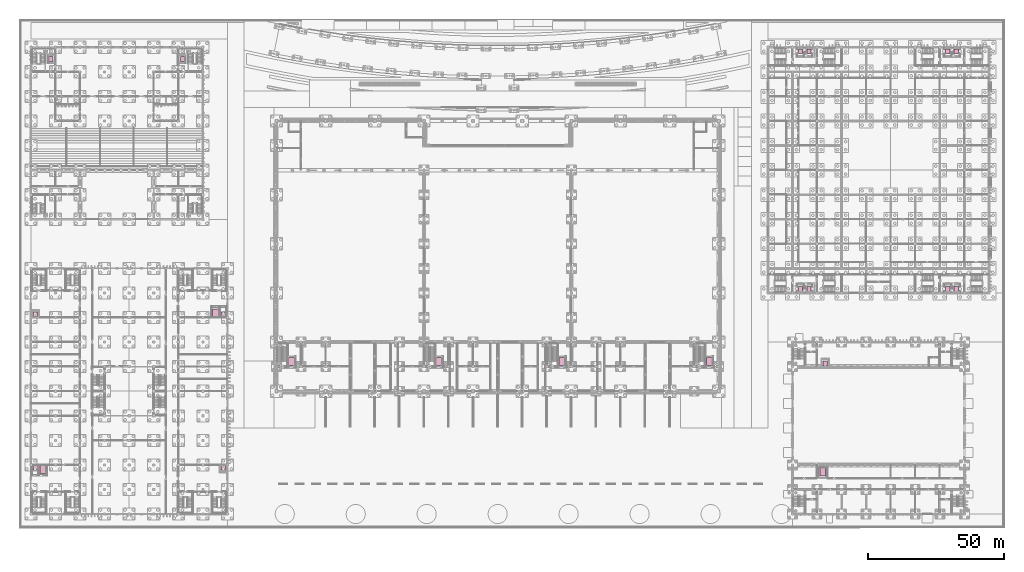
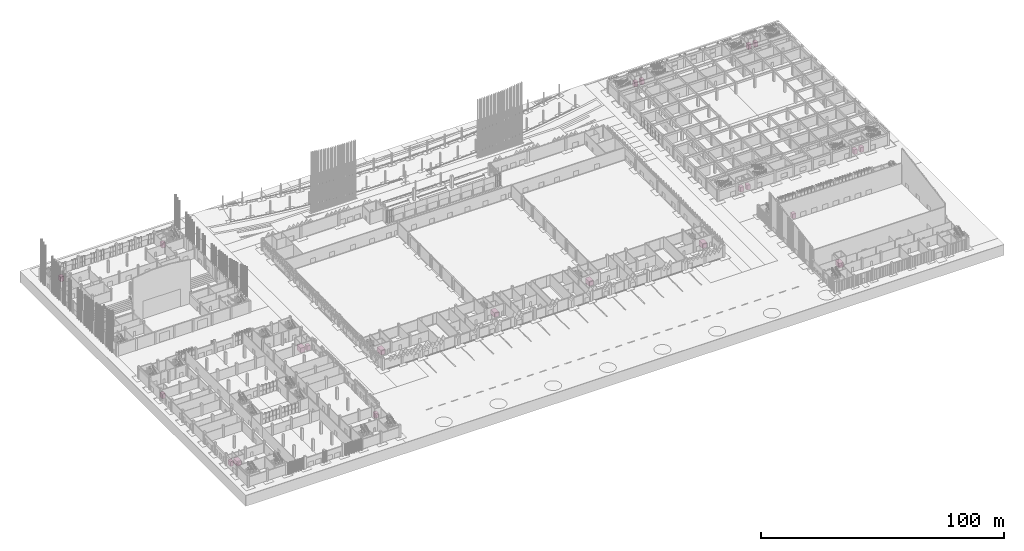
# One storey, part 198 of 198: 22 transport elements.
"""IFC4 building model written with IfcOpenShell, lengths in metres."""

from ifc_helpers import new_model, si_unit, direction, frame, origin, origin_2d, place, context, subcontext, project, spatial, rectangle, extrude, material, type_object, element, save


model = new_model("IFC4")

# Units and contexts
model_context = context("Model", 3, precision=1e-05, world=origin(), true_north=direction((0.0, 1.0)))
body_context = subcontext(model_context, "Body", "Model", "MODEL_VIEW")
ifc_project = project(units=[si_unit("LENGTHUNIT", "METRE"), si_unit("AREAUNIT", "SQUARE_METRE"), si_unit("VOLUMEUNIT", "CUBIC_METRE"), si_unit("PLANEANGLEUNIT", "RADIAN"), si_unit("MASSUNIT", "GRAM", prefix="KILO")], contexts=[model_context])

# Site, building, storey
site_placement = place(None, origin())
site = spatial("IfcSite", under=ifc_project, at=site_placement, CompositionType="ELEMENT")
building_placement = place(site_placement, origin())
building = spatial("IfcBuilding", under=site, at=building_placement, Name="Opaline Strait Convention Centre", CompositionType="ELEMENT")
storey_placement = place(building_placement, origin())
storey = spatial("IfcBuildingStorey", under=building, at=storey_placement, Name="L00", CompositionType="ELEMENT", Elevation=0.0)

# Transport elements
ifc_material = material(Name="Stainless steel 304", Category="steel")
transport_element_type_1 = type_object("IfcTransportElementType", Name="Goods lift 3000 kg", PredefinedType="ELEVATOR", material=ifc_material)
for number, where, z_axis, x_axis, name in (
    (1, (104.5, 64.85009765625, 0.0), (0.0, 0.0, 1.0), (1.0, 0.0, 0.0), "Goods lift 1"),
    (2, (158.5, 64.85009765625, 0.0), (0.0, 0.0, 1.0), (1.0, 0.0, 0.0), "Goods lift 2"),
    (3, (203.5, 64.85009765625, 0.0), (0.0, 0.0, 1.0), (1.0, 0.0, 0.0), "Goods lift 3"),
    (4, (257.5, 64.85009765625, 0.0), (0.0, 0.0, 1.0), (1.0, 0.0, 0.0), "Goods lift 4"),
    (5, (299.10009765625, 24.47509765625, 0.0), (0.0, 0.0, 1.0), (1.0, 0.0, 0.0), "Goods Lift car"),
    (6, (13.35009765625, 25.35009765625, 0.0), (0.0, 0.0, 1.0), (1.0, 0.0, 0.0), "Goods lift SWG"),
    (7, (76.64990234375, 82.64990234375, 0.0), (0.0, 0.0, 1.0), (1.0, 0.0, 0.0), "Goods lift NEG"),
):
    element("IfcTransportElement", number, at=place(storey_placement, frame(where, z_axis=z_axis, x_axis=x_axis)), inside=storey, type_object=transport_element_type_1, Name=name, ObjectType="RLG1", PredefinedType="ELEVATOR", context=body_context, shape_type="SweptSolid", body=[
        extrude(rectangle(XDim=2.10009765625, YDim=3.0, at=origin_2d()), origin(), (0.0, 0.0, 1.0), 2.39990234375),
    ])
transport_element_type_2 = type_object("IfcTransportElementType", Name="Passenger lift 1350 kg", PredefinedType="ELEVATOR", material=ifc_material)
for number, where, z_axis, x_axis, name in (
    (8, (16.35009765625, 175.75, 0.0), (0.0, 0.0, 1.0), (1.0, 0.0, 0.0), "Passenger lift NW"),
    (9, (64.64990234375, 175.75, 0.0), (0.0, 0.0, 1.0), (1.0, 0.0, 0.0), "Passenger lift NE"),
    (10, (300.0, 64.10009765625, 0.0), (0.0, 0.0, 1.0), (1.0, 0.0, 0.0), "Passenger Lift car"),
    (11, (290.949951171875, 91.449951171875, 0.0), (0.0, 0.0, 1.0), (1.0, 0.0, 0.0), "Passenger lift SW1"),
    (12, (294.050048828125, 91.449951171875, 0.0), (0.0, 0.0, 1.0), (1.0, 0.0, 0.0), "Passenger lift SW2"),
    (13, (348.050048828125, 91.449951171875, 0.0), (0.0, 0.0, 1.0), (1.0, 0.0, 0.0), "Passenger lift SE1"),
    (14, (344.949951171875, 91.449951171875, 0.0), (0.0, 0.0, 1.0), (1.0, 0.0, 0.0), "Passenger lift SE2"),
    (15, (290.949951171875, 178.550048828125, 0.0), (0.0, 0.0, 1.0), (1.0, 0.0, 0.0), "Passenger lift NW1"),
    (16, (294.050048828125, 178.550048828125, 0.0), (0.0, 0.0, 1.0), (1.0, 0.0, 0.0), "Passenger lift NW2"),
    (17, (348.050048828125, 178.550048828125, 0.0), (0.0, 0.0, 1.0), (1.0, 0.0, 0.0), "Passenger lift NE1"),
    (18, (344.949951171875, 178.550048828125, 0.0), (0.0, 0.0, 1.0), (1.0, 0.0, 0.0), "Passenger lift NE2"),
    (19, (10.60009765625, 25.949951171875, 0.0), (0.0, 0.0, 1.0), (1.0, 0.0, 0.0), "Passenger lift SWP"),
    (20, (79.39990234375, 25.949951171875, 0.0), (0.0, 0.0, 1.0), (1.0, 0.0, 0.0), "Passenger lift SEP"),
    (21, (10.60009765625, 82.050048828125, 0.0), (0.0, 0.0, 1.0), (1.0, 0.0, 0.0), "Passenger lift NWP"),
    (22, (79.39990234375, 82.050048828125, 0.0), (0.0, 0.0, 1.0), (1.0, 0.0, 0.0), "Passenger lift NEP"),
):
    element("IfcTransportElement", number, at=place(storey_placement, frame(where, z_axis=z_axis, x_axis=x_axis)), inside=storey, type_object=transport_element_type_2, Name=name, ObjectType="RLP1", PredefinedType="ELEVATOR", context=body_context, shape_type="SweptSolid", body=[
        extrude(rectangle(XDim=1.60009765625, YDim=1.800048828125, at=origin_2d()), origin(), (0.0, 0.0, 1.0), 2.39990234375),
    ])

save(model, "model.ifc")
